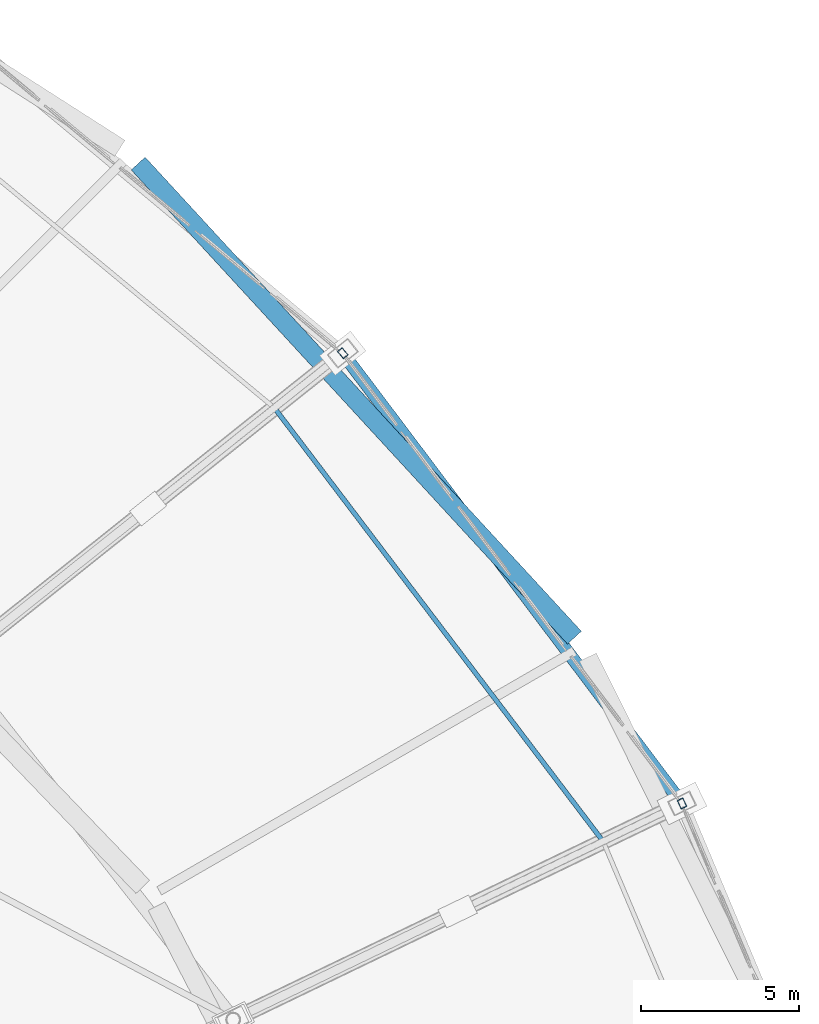
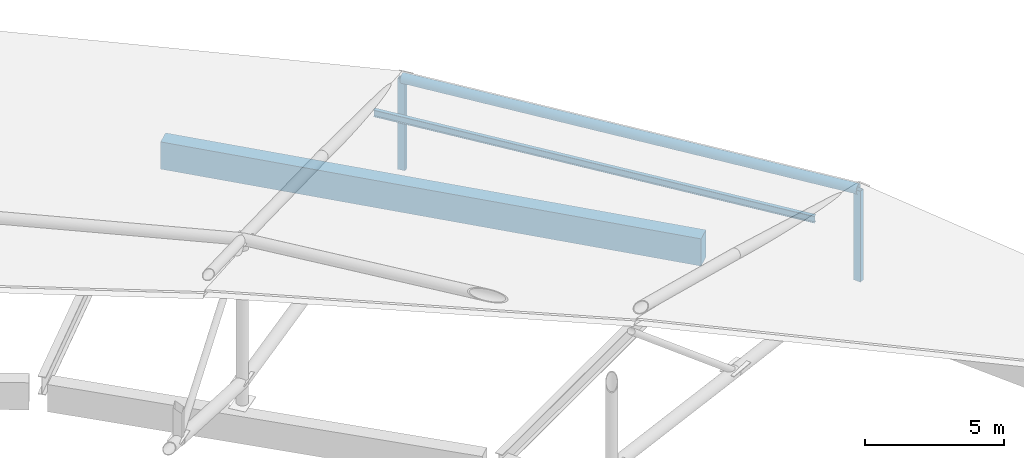
# One storey, part 81 of 108: 4 members, 1 beam.
"""IFC4 building model written with IfcOpenShell, lengths in metres."""

from ifc_helpers import new_model, si_unit, direction, frame, origin, origin_2d, place, context, subcontext, project, spatial, rectangle, hollow_rectangle, hollow_circle, i_section, extrude, material, material_profile, profile_set, type_object, element, save


model = new_model("IFC4")

# Units and contexts
model_context = context("Model", 3, precision=1e-05, world=origin(), true_north=direction((0.0, 1.0)))
body_context = subcontext(model_context, "Body", "Model", "MODEL_VIEW")
ifc_project = project(units=[si_unit("LENGTHUNIT", "METRE"), si_unit("AREAUNIT", "SQUARE_METRE"), si_unit("VOLUMEUNIT", "CUBIC_METRE"), si_unit("PLANEANGLEUNIT", "RADIAN"), si_unit("MASSUNIT", "GRAM", prefix="KILO")], contexts=[model_context])

# Site, building, storey
site_placement = place(None, origin())
site = spatial("IfcSite", under=ifc_project, at=site_placement, CompositionType="ELEMENT")
building_placement = place(site_placement, origin())
building = spatial("IfcBuilding", under=site, at=building_placement, Name="Zevraka Park Crest Stadium", CompositionType="ELEMENT")
storey_placement = place(building_placement, frame((0.0, 0.0, 29.39990234375)))
storey = spatial("IfcBuildingStorey", under=building, at=storey_placement, Name="RF", CompositionType="ELEMENT", Elevation=29.39990234375)

# Member
ifc_material_1 = material(Name="Steel S355", Category="steel")
ifc_material_profile_1 = material_profile(ifc_material_1, i_section(OverallWidth=0.14990234375, OverallDepth=0.300048828125, WebThickness=0.007080078125, FlangeThickness=0.0107421875, at=origin_2d()), Name="IPE 300")
ifc_profile_set_1 = profile_set([ifc_material_profile_1], Name="Steel S355")
member_type_1 = type_object("IfcMemberType", Name="PR02", PredefinedType="PURLIN", material=ifc_profile_set_1)
member_1_placement = place(storey_placement, frame((190.85595703125, 123.467041015625, 4.287109375), z_axis=(-0.604210903158, 0.796824437693, 0.0), x_axis=(-0.796824437693, -0.604210903158, 0.0)))
element("IfcMember", 1, at=member_1_placement, inside=storey, type_object=member_type_1, Name="Canopy Roof Purlin PR02 OUTER-03-1", PredefinedType="PURLIN", context=body_context, shape_type="SweptSolid", body=[
    extrude(i_section(OverallWidth=0.14990234375, OverallDepth=0.300048828125, WebThickness=0.007080078125, FlangeThickness=0.0107421875, at=origin_2d()), origin(), (0.0, 0.0, 1.0), 17.25732421875),
])

# Beam
ifc_material_2 = material(Name="Concrete C40/50", Category="concrete")
ifc_material_profile_2 = material_profile(ifc_material_2, rectangle(XDim=0.60009765625, YDim=1.199951171875, at=origin_2d()), Name="RC 1200x600")
ifc_profile_set_2 = profile_set([ifc_material_profile_2], Name="Concrete C40/50")
beam_type = type_object("IfcBeamType", Name="RB01", PredefinedType="BEAM", material=ifc_profile_set_2)
beam_placement = place(storey_placement, frame((189.945068359375, 129.929931640625, -0.599853515625), z_axis=(-0.677158252403, 0.735837414924, 0.0), x_axis=(-0.735837414924, -0.677158252403, 0.0)))
element("IfcBeam", 2, at=beam_placement, inside=storey, type_object=beam_type, Name="Ring Beam RB01 RF-D-02", PredefinedType="BEAM", context=body_context, shape_type="SweptSolid", body=[
    extrude(rectangle(XDim=0.60009765625, YDim=1.199951171875, at=origin_2d()), origin(), (0.0, 0.0, 1.0), 20.4326171875),
])

# Members
ifc_material_3 = material(Name="Steel S355", Category="steel")
ifc_material_profile_3 = material_profile(ifc_material_3, hollow_circle(Radius=0.203125, WallThickness=0.02001953125, at=origin_2d()), Name="CHS 406.4x20")
ifc_profile_set_3 = profile_set([ifc_material_profile_3], Name="Steel S355")
member_type_2 = type_object("IfcMemberType", Name="TC03", PredefinedType="CHORD", material=ifc_profile_set_3)
member_2_placement = place(storey_placement, frame((193.35693359375, 124.6708984375, 4.0), z_axis=(-0.601761875222, 0.798675557113, 0.0), x_axis=(-0.798675557113, -0.601761875222, 0.0)))
element("IfcMember", 3, at=member_2_placement, inside=storey, type_object=member_type_2, Name="Roof Outer Canopy Ring Chord TC03 03", PredefinedType="CHORD", context=body_context, shape_type="SweptSolid", body=[
    extrude(hollow_circle(Radius=0.203125, WallThickness=0.02001953125, at=origin_2d()), origin(), (0.0, 0.0, 1.0), 17.877197265625),
])
ifc_material_4 = material(Name="Steel S355", Category="steel")
ifc_material_profile_4 = material_profile(ifc_material_4, hollow_rectangle(XDim=0.199951171875, YDim=0.300048828125, WallThickness=0.012451171875, at=origin_2d()), Name="RHS 300x200x12.5")
ifc_profile_set_4 = profile_set([ifc_material_profile_4], Name="Steel S355")
member_type_3 = type_object("IfcMemberType", Name="WB03", PredefinedType="BRACE", material=ifc_profile_set_4)
for number, where, z_axis, x_axis, name in (
    (4, (193.35693359375, 124.6708984375, 0.0), (0.0, 0.0, 1.0), (0.90100131981, 0.43381634559, 0.0), "Roof Truss Anchor Strut WB03 T03-0"),
    (5, (182.59912109375, 138.948974609375, 0.0), (0.0, 0.0, 1.0), (0.781847027868, 0.623470308046, 0.0), "Roof Truss Anchor Strut WB03 T04-0"),
):
    element("IfcMember", number, at=place(storey_placement, frame(where, z_axis=z_axis, x_axis=x_axis)), inside=storey, type_object=member_type_3, Name=name, PredefinedType="BRACE", context=body_context, shape_type="SweptSolid", body=[
        extrude(hollow_rectangle(XDim=0.199951171875, YDim=0.300048828125, WallThickness=0.012451171875, at=origin_2d()), origin(), (0.0, 0.0, 1.0), 4.0),
    ])

save(model, "model.ifc")
